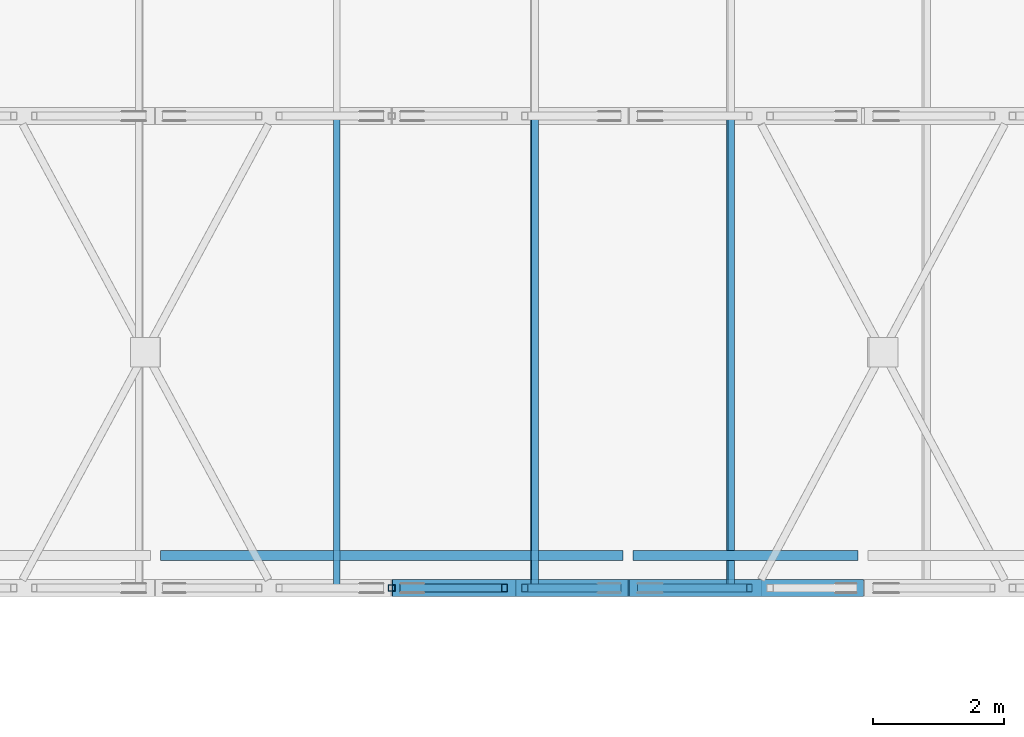
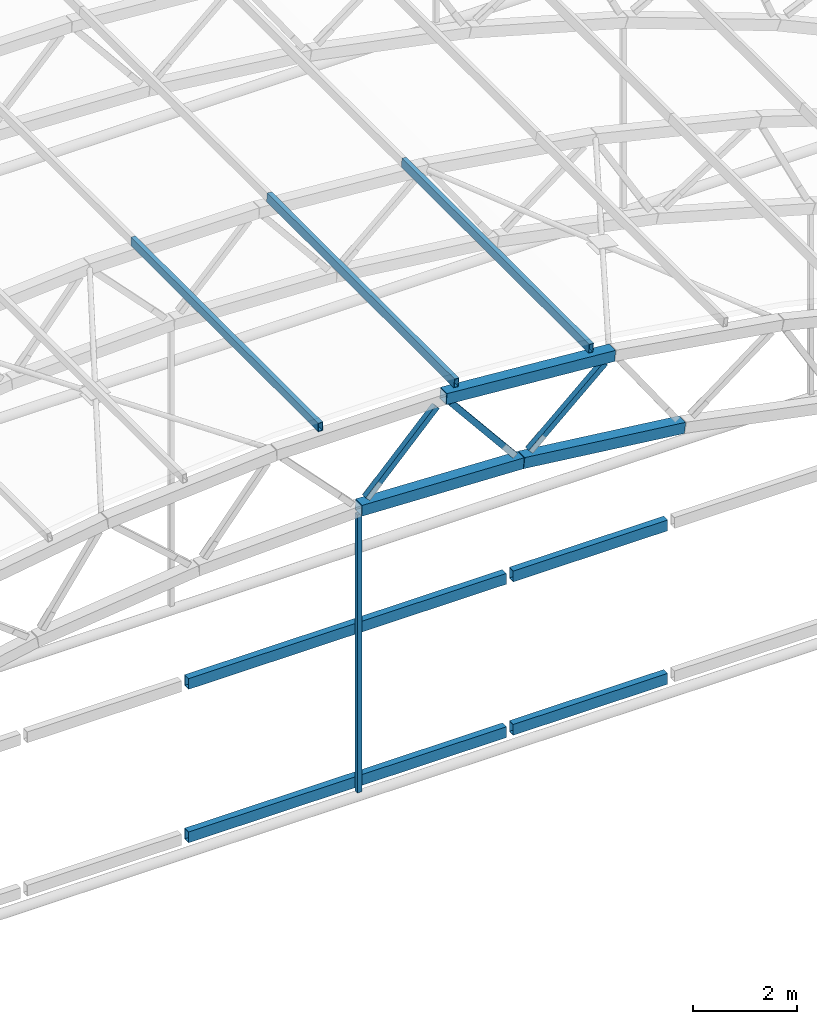
# One storey, part 13 of 127: 10 members, 4 beams.
"""IFC4 building model written with IfcOpenShell, lengths in metres."""

from ifc_helpers import new_model, si_unit, direction, frame, origin, origin_2d, place, context, subcontext, project, spatial, hollow_rectangle, extrude, material, material_profile, profile_set, type_object, element, save


model = new_model("IFC4")

# Units and contexts
model_context = context("Model", 3, precision=1e-05, world=origin(), true_north=direction((0.0, 1.0)))
body_context = subcontext(model_context, "Body", "Model", "MODEL_VIEW")
ifc_project = project(units=[si_unit("LENGTHUNIT", "METRE"), si_unit("AREAUNIT", "SQUARE_METRE"), si_unit("VOLUMEUNIT", "CUBIC_METRE"), si_unit("PLANEANGLEUNIT", "RADIAN"), si_unit("MASSUNIT", "GRAM", prefix="KILO")], contexts=[model_context])

# Site, building, storey
site_placement = place(None, origin())
site = spatial("IfcSite", under=ifc_project, at=site_placement, CompositionType="ELEMENT")
building_placement = place(site_placement, origin())
building = spatial("IfcBuilding", under=site, at=building_placement, Name="Verrick Yard Athletic Hall", CompositionType="ELEMENT")
storey_placement = place(building_placement, frame((0.0, 0.0, 14.0)))
storey = spatial("IfcBuildingStorey", under=building, at=storey_placement, Name="L03", CompositionType="ELEMENT", Elevation=14.0)

# Members
ifc_material = material(Name="Structural steel HSS Class C 350W (CSA G40.20/G40.21)", Category="steel")
ifc_material_profile_1 = material_profile(ifc_material, hollow_rectangle(XDim=0.25390625, YDim=0.25390625, WallThickness=0.009521484375, at=origin_2d()), Name="HSS254x254x9.5")
ifc_profile_set_1 = profile_set([ifc_material_profile_1], Name="Structural steel HSS Class C 350W (CSA G40.20/G40.21)")
member_type_1 = type_object("IfcMemberType", Name="HB bottom chord HSS254x254x9.5", PredefinedType="CHORD", material=ifc_profile_set_1)
for number, where, z_axis, x_axis, name in (
    (1, (52.0048828125, 72.0, 6.757080078125), (0.999229864493, 0.0, -0.039238729647), (0.0, 1.0, 0.0), "Truss TB1 bottom chord 8"),
    (2, (55.608154296875, 72.0, 6.615234375), (0.993094882284, 0.0, -0.117313915545), (0.0, 1.0, 0.0), "Truss TB1 bottom chord 9"),
):
    element("IfcMember", number, at=place(storey_placement, frame(where, z_axis=z_axis, x_axis=x_axis)), inside=storey, type_object=member_type_1, Name=name, PredefinedType="CHORD", context=body_context, shape_type="SweptSolid", body=[
        extrude(hollow_rectangle(XDim=0.25390625, YDim=0.25390625, WallThickness=0.009521484375, at=origin_2d()), origin(), (0.0, 0.0, 1.0), 3.59619140625),
    ])
ifc_material_profile_2 = material_profile(ifc_material, hollow_rectangle(XDim=0.1015625, YDim=0.203125, WallThickness=0.009521484375, at=origin_2d()), Name="HSS203x102x9.5")
ifc_profile_set_2 = profile_set([ifc_material_profile_2], Name="Structural steel HSS Class C 350W (CSA G40.20/G40.21)")
member_type_2 = type_object("IfcMemberType", Name="HB purlin HSS203x102x9.5", PredefinedType="PURLIN", material=ifc_profile_set_2)
for number, where, z_axis, x_axis, name in (
    (3, (51.15966796875, 72.0, 8.948974609375), (0.0, 1.0, 0.0), (-1.0, 0.0, 0.0), "HB-PU-B-1-9"),
    (4, (54.1767578125, 72.0, 8.92626953125), (0.0, 1.0, 0.0), (-0.996927304266, 0.0, 0.078332305011), "HB-PU-B-1-10"),
    (5, (57.16748046875, 72.0, 8.69140625), (0.0, 1.0, 0.0), (-0.996927304266, 0.0, 0.078332305011), "HB-PU-B-1-11"),
):
    element("IfcMember", number, at=place(storey_placement, frame(where, z_axis=z_axis, x_axis=x_axis)), inside=storey, type_object=member_type_2, Name=name, PredefinedType="PURLIN", context=body_context, shape_type="SweptSolid", body=[
        extrude(hollow_rectangle(XDim=0.1015625, YDim=0.203125, WallThickness=0.009521484375, at=origin_2d()), origin(), (0.0, 0.0, 1.0), 7.199951171875),
    ])
ifc_material_profile_3 = material_profile(ifc_material, hollow_rectangle(XDim=0.25390625, YDim=0.25390625, WallThickness=0.009521484375, at=origin_2d()), Name="HSS254x254x9.5")
ifc_profile_set_3 = profile_set([ifc_material_profile_3], Name="Structural steel HSS Class C 350W (CSA G40.20/G40.21)")
member_type_3 = type_object("IfcMemberType", Name="HB top chord HSS254x254x9.5", PredefinedType="CHORD", material=ifc_profile_set_3)
member_1_placement = place(storey_placement, frame((53.886474609375, 72.0, 8.719970703125), z_axis=(0.99692762922, 0.0, -0.07832816925), x_axis=(0.0, 1.0, 0.0)))
element("IfcMember", 6, at=member_1_placement, inside=storey, type_object=member_type_3, Name="Truss TB1 top chord 9", PredefinedType="CHORD", context=body_context, shape_type="SweptSolid", body=[
    extrude(hollow_rectangle(XDim=0.25390625, YDim=0.25390625, WallThickness=0.009521484375, at=origin_2d()), origin(), (0.0, 0.0, 1.0), 3.752685546875),
])
ifc_material_profile_4 = material_profile(ifc_material, hollow_rectangle(XDim=0.1015625, YDim=0.1015625, WallThickness=0.00634765625, at=origin_2d()), Name="HSS102x102x6.4")
ifc_profile_set_4 = profile_set([ifc_material_profile_4], Name="Structural steel HSS Class C 350W (CSA G40.20/G40.21)")
member_type_4 = type_object("IfcMemberType", Name="HB truss hanger HSS102x102x6.4", PredefinedType="MEMBER", material=ifc_profile_set_4)
member_2_placement = place(storey_placement, frame((52.0, 72.0, 6.628173828125), z_axis=(0.0, 0.0, -1.0), x_axis=(0.0, -1.0, 0.0)))
element("IfcMember", 7, at=member_2_placement, inside=storey, type_object=member_type_4, Name="Truss TB1 hanger 2", PredefinedType="MEMBER", context=body_context, shape_type="SweptSolid", body=[
    extrude(hollow_rectangle(XDim=0.1015625, YDim=0.1015625, WallThickness=0.00634765625, at=origin_2d()), origin(), (0.0, 0.0, 1.0), 6.5185546875),
])
ifc_material_profile_5 = material_profile(ifc_material, hollow_rectangle(XDim=0.126953125, YDim=0.126953125, WallThickness=0.009521484375, at=origin_2d()), Name="HSS127x127x9.5")
ifc_profile_set_5 = profile_set([ifc_material_profile_5], Name="Structural steel HSS Class C 350W (CSA G40.20/G40.21)")
member_type_5 = type_object("IfcMemberType", Name="HB truss web HSS127x127x9.5", PredefinedType="BRACE", material=ifc_profile_set_5)
member_3_placement = place(storey_placement, frame((52.172119140625, 72.0, 6.936767578125), z_axis=(0.691917233653, 0.0, 0.721976829112), x_axis=(0.0, 1.0, 0.0)))
element("IfcMember", 8, at=member_3_placement, inside=storey, type_object=member_type_5, Name="Truss TB1 web 15", PredefinedType="BRACE", context=body_context, shape_type="SweptSolid", body=[
    extrude(hollow_rectangle(XDim=0.126953125, YDim=0.126953125, WallThickness=0.009521484375, at=origin_2d()), origin(), (0.0, 0.0, 1.0), 2.2333984375),
])
for number, where, z_axis, x_axis, name in (
    (9, (54.03125, 72.0, 8.537109375), (0.633267548908, 0.0, -0.773932950262), (0.0, 1.0, 0.0), "Truss TB1 web 16"),
    (10, (55.788818359375, 72.0, 6.781494140625), (0.746389338881, 0.0, 0.66550954524), (0.0, 1.0, 0.0), "Truss TB1 web 17"),
):
    element("IfcMember", number, at=place(storey_placement, frame(where, z_axis=z_axis, x_axis=x_axis)), inside=storey, type_object=member_type_5, Name=name, PredefinedType="BRACE", context=body_context, shape_type="SweptSolid", body=[
        extrude(hollow_rectangle(XDim=0.126953125, YDim=0.126953125, WallThickness=0.009521484375, at=origin_2d()), origin(), (0.0, 0.0, 1.0), 2.233642578125),
    ])

# Beams
ifc_material_profile_6 = material_profile(ifc_material, hollow_rectangle(XDim=0.15234375, YDim=0.25390625, WallThickness=0.009521484375, at=origin_2d()), Name="HSS254x152x9.5")
ifc_profile_set_6 = profile_set([ifc_material_profile_6], Name="Structural steel HSS Class C 350W (CSA G40.20/G40.21)")
beam_type = type_object("IfcBeamType", Name="HB wind girder HSS254x152x9.5", PredefinedType="BEAM", material=ifc_profile_set_6)
beam_1_placement = place(storey_placement, frame((48.472900390625, 72.49462890625, 0.0), z_axis=(1.0, 0.0, 0.0), x_axis=(0.0, 1.0, 0.0)))
element("IfcBeam", 11, at=beam_1_placement, inside=storey, type_object=beam_type, Name="HB-WG-BS-140-5", PredefinedType="BEAM", context=body_context, shape_type="SweptSolid", body=[
    extrude(hollow_rectangle(XDim=0.15234375, YDim=0.25390625, WallThickness=0.009521484375, at=origin_2d()), origin(), (0.0, 0.0, 1.0), 7.05419921875),
])
beam_2_placement = place(storey_placement, frame((55.679443359375, 72.49462890625, 0.0), z_axis=(1.0, 0.0, 0.0), x_axis=(0.0, 1.0, 0.0)))
element("IfcBeam", 12, at=beam_2_placement, inside=storey, type_object=beam_type, Name="HB-WG-BS-140-6", PredefinedType="BEAM", context=body_context, shape_type="SweptSolid", body=[
    extrude(hollow_rectangle(XDim=0.15234375, YDim=0.25390625, WallThickness=0.009521484375, at=origin_2d()), origin(), (0.0, 0.0, 1.0), 3.4287109375),
])
beam_3_placement = place(storey_placement, frame((48.472900390625, 72.49462890625, 3.60009765625), z_axis=(1.0, 0.0, 0.0), x_axis=(0.0, 1.0, 0.0)))
element("IfcBeam", 13, at=beam_3_placement, inside=storey, type_object=beam_type, Name="HB-WG-BS-176-4", PredefinedType="BEAM", context=body_context, shape_type="SweptSolid", body=[
    extrude(hollow_rectangle(XDim=0.15234375, YDim=0.25390625, WallThickness=0.009521484375, at=origin_2d()), origin(), (0.0, 0.0, 1.0), 7.05419921875),
])
beam_4_placement = place(storey_placement, frame((55.679443359375, 72.49462890625, 3.60009765625), z_axis=(1.0, 0.0, 0.0), x_axis=(0.0, 1.0, 0.0)))
element("IfcBeam", 14, at=beam_4_placement, inside=storey, type_object=beam_type, Name="HB-WG-BS-176-5", PredefinedType="BEAM", context=body_context, shape_type="SweptSolid", body=[
    extrude(hollow_rectangle(XDim=0.15234375, YDim=0.25390625, WallThickness=0.009521484375, at=origin_2d()), origin(), (0.0, 0.0, 1.0), 3.4287109375),
])

save(model, "model.ifc")
